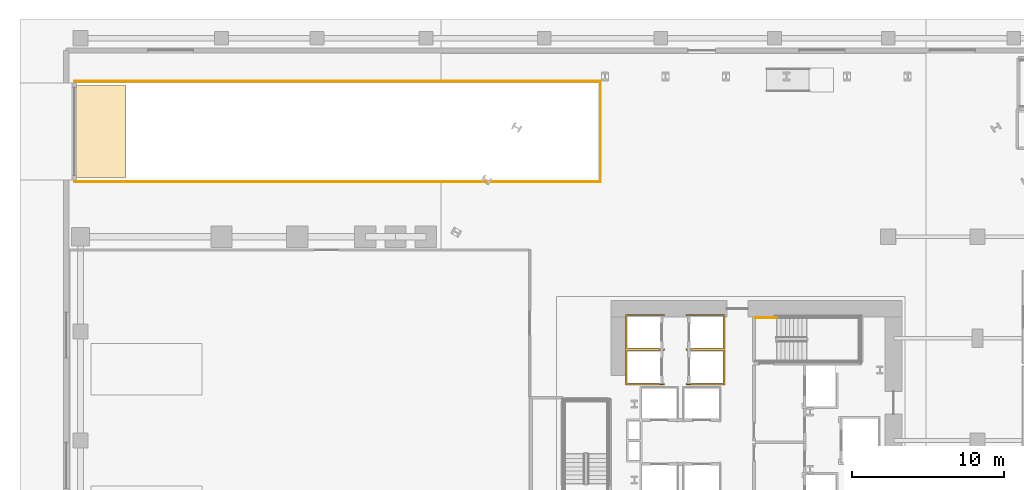
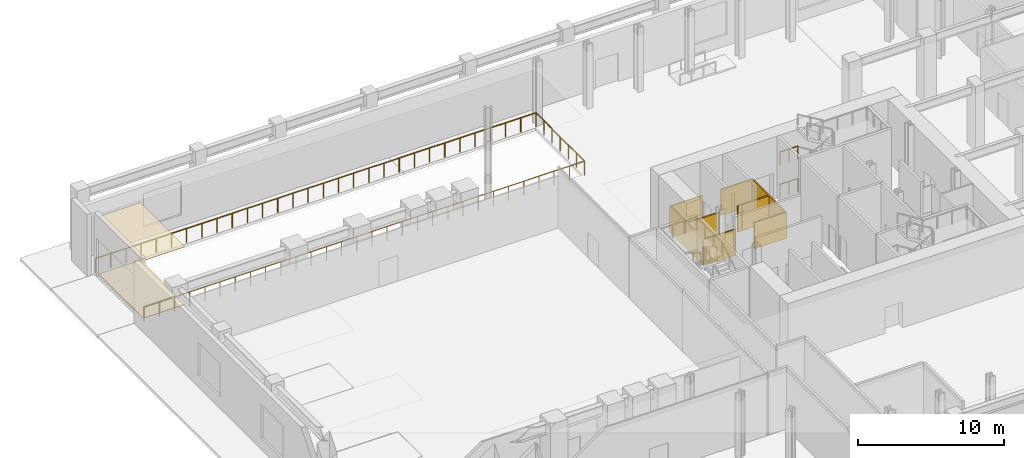
# One storey, part 14 of 18: 5 railings, 4 coverings.
"""IFC4 building model written with IfcOpenShell, lengths in metres."""

from ifc_helpers import new_model, si_unit, direction, frame, origin, origin_2d, place, context, subcontext, project, spatial, polyline, circle, outline, extrude, material, layer, layer_set, type_object, element, save


model = new_model("IFC4")

# Units and contexts
model_context = context("Model", 3, precision=1e-05, world=origin(), true_north=direction((0.0, 1.0)))
body_context = subcontext(model_context, "Body", "Model", "MODEL_VIEW")
ifc_project = project(units=[si_unit("LENGTHUNIT", "METRE"), si_unit("AREAUNIT", "SQUARE_METRE"), si_unit("VOLUMEUNIT", "CUBIC_METRE"), si_unit("PLANEANGLEUNIT", "RADIAN"), si_unit("MASSUNIT", "GRAM", prefix="KILO")], contexts=[model_context])

# Site, building, storey
site_placement = place(None, origin())
site = spatial("IfcSite", under=ifc_project, at=site_placement, CompositionType="ELEMENT")
building_placement = place(site_placement, origin())
building = spatial("IfcBuilding", under=site, at=building_placement, Name="Valkerne Bourse Tower", CompositionType="ELEMENT")
storey_placement = place(building_placement, origin())
storey = spatial("IfcBuildingStorey", under=building, at=storey_placement, Name="L00", CompositionType="ELEMENT", Elevation=0.0)

# Coverings
ifc_material_1 = material(Name="Mineral Fiber Acoustic Ceiling Tile", Category="acoustic")
ifc_layer_1 = layer(ifc_material_1, 0.02490234375)
ifc_layer_set_1 = layer_set([ifc_layer_1], Name="Mineral Fiber Acoustic Ceiling Tile")
covering_type_1 = type_object("IfcCoveringType", Name="COV-CEIL-ACT", PredefinedType="CEILING", material=ifc_layer_set_1)
covering_1_placement = place(storey_placement, frame((0.0, 0.0, 4.81005859375)))
element("IfcCovering", 1, at=covering_1_placement, inside=storey, type_object=covering_type_1, Name="L00 Suspended Ceiling 01", PredefinedType="CEILING", context=body_context, shape_type="SweptSolid", body=[
    extrude(outline(polyline([(1.884033203125, 50.446044921875), (5.196044921875, 50.446044921875), (5.196044921875, 44.35400390625), (1.884033203125, 44.35400390625), (1.884033203125, 50.446044921875)])), origin(), (0.0, 0.0, 1.0), 0.02490234375),
])
ifc_material_2 = material(Name="Galvanised Painted Steel", Category="steel")
ifc_layer_2 = layer(ifc_material_2, 0.044921875)
ifc_layer_set_2 = layer_set([ifc_layer_2], Name="Galvanised Painted Steel")
covering_type_2 = type_object("IfcCoveringType", Name="COV-FLR-RAF", PredefinedType="FLOORING", material=ifc_layer_set_2)
covering_2_placement = place(storey_placement, origin())
element("IfcCovering", 2, at=covering_2_placement, inside=storey, type_object=covering_type_2, Name="L00 Floor Finish 01", PredefinedType="FLOORING", context=body_context, shape_type="SweptSolid", body=[
    extrude(outline(polyline([(1.884033203125, 50.446044921875), (5.196044921875, 50.446044921875), (5.196044921875, 44.35400390625), (1.884033203125, 44.35400390625), (1.884033203125, 50.446044921875)])), origin(), (0.0, 0.0, 1.0), 0.044921875),
])
ifc_material_3 = material(Name="Gypsum Shaftwall Liner Board", Category="gypsum")
ifc_layer_3 = layer(ifc_material_3, 0.080078125)
ifc_layer_set_3 = layer_set([ifc_layer_3], Name="Gypsum Shaftwall Liner Board")
covering_type_3 = type_object("IfcCoveringType", Name="COV-SHF-CLAD", PredefinedType="CLADDING", material=ifc_layer_set_3)
covering_3_placement = place(storey_placement, origin())
element("IfcCovering", 3, at=covering_3_placement, inside=storey, type_object=covering_type_3, Name="L00 Hoistway & Riser Shaftwall Liner 05", PredefinedType="CLADDING", context=body_context, shape_type="SweptSolid", body=[
    extrude(outline(polyline([(38.169921875, 35.330078125), (40.72998046875, 35.330078125), (40.72998046875, 35.232177734375), (40.72216796875, 35.235595703125), (40.6806640625, 35.25048828125), (40.6376953125, 35.261474609375), (40.593994140625, 35.267822265625), (40.550048828125, 35.27001953125), (40.505859375, 35.267822265625), (40.462158203125, 35.261474609375), (40.41943359375, 35.25048828125), (40.3896484375, 35.239990234375), (38.260009765625, 35.239990234375), (38.260009765625, 33.06005859375), (40.3896484375, 33.06005859375), (40.41943359375, 33.04931640625), (40.462158203125, 33.03857421875), (40.505859375, 33.0322265625), (40.550048828125, 33.030029296875), (40.593994140625, 33.0322265625), (40.6376953125, 33.03857421875), (40.6806640625, 33.04931640625), (40.72216796875, 33.064208984375), (40.72998046875, 33.06787109375), (40.72998046875, 33.030029296875), (40.72998046875, 32.969970703125), (40.72998046875, 32.93212890625), (40.72216796875, 32.935791015625), (40.6806640625, 32.95068359375), (40.6376953125, 32.96142578125), (40.593994140625, 32.9677734375), (40.550048828125, 32.969970703125), (40.505859375, 32.9677734375), (40.462158203125, 32.96142578125), (40.41943359375, 32.95068359375), (40.3896484375, 32.93994140625), (38.260009765625, 32.93994140625), (38.260009765625, 30.760009765625), (40.3896484375, 30.760009765625), (40.41943359375, 30.74951171875), (40.462158203125, 30.738525390625), (40.505859375, 30.732177734375), (40.550048828125, 30.72998046875), (40.593994140625, 30.732177734375), (40.6376953125, 30.738525390625), (40.6806640625, 30.74951171875), (40.72216796875, 30.764404296875), (40.72998046875, 30.767822265625), (40.72998046875, 30.669921875), (38.169921875, 30.669921875), (38.169921875, 32.969970703125), (38.169921875, 33.030029296875), (38.169921875, 35.330078125)])), origin(), (0.0, 0.0, 1.0), 2.179931640625),
])
covering_4_placement = place(storey_placement, origin())
element("IfcCovering", 4, at=covering_4_placement, inside=storey, type_object=covering_type_3, Name="L00 Hoistway & Riser Shaftwall Liner 11", PredefinedType="CLADDING", context=body_context, shape_type="SweptSolid", body=[
    extrude(outline(polyline([(44.72998046875, 35.330078125), (44.72998046875, 33.030029296875), (44.72998046875, 32.969970703125), (44.72998046875, 30.669921875), (42.169921875, 30.669921875), (42.169921875, 30.767822265625), (42.177734375, 30.764404296875), (42.219482421875, 30.74951171875), (42.26220703125, 30.738525390625), (42.305908203125, 30.732177734375), (42.35009765625, 30.72998046875), (42.39404296875, 30.732177734375), (42.437744140625, 30.738525390625), (42.480712890625, 30.74951171875), (42.51025390625, 30.760009765625), (44.639892578125, 30.760009765625), (44.639892578125, 32.93994140625), (42.51025390625, 32.93994140625), (42.480712890625, 32.95068359375), (42.437744140625, 32.96142578125), (42.39404296875, 32.9677734375), (42.35009765625, 32.969970703125), (42.305908203125, 32.9677734375), (42.26220703125, 32.96142578125), (42.219482421875, 32.95068359375), (42.177734375, 32.935791015625), (42.169921875, 32.93212890625), (42.169921875, 32.969970703125), (42.169921875, 33.030029296875), (42.169921875, 33.06787109375), (42.177734375, 33.064208984375), (42.219482421875, 33.04931640625), (42.26220703125, 33.03857421875), (42.305908203125, 33.0322265625), (42.35009765625, 33.030029296875), (42.39404296875, 33.0322265625), (42.437744140625, 33.03857421875), (42.480712890625, 33.04931640625), (42.51025390625, 33.06005859375), (44.639892578125, 33.06005859375), (44.639892578125, 35.239990234375), (42.51025390625, 35.239990234375), (42.480712890625, 35.25048828125), (42.437744140625, 35.261474609375), (42.39404296875, 35.267822265625), (42.35009765625, 35.27001953125), (42.305908203125, 35.267822265625), (42.26220703125, 35.261474609375), (42.219482421875, 35.25048828125), (42.177734375, 35.235595703125), (42.169921875, 35.232177734375), (42.169921875, 35.330078125), (44.72998046875, 35.330078125)])), origin(), (0.0, 0.0, 1.0), 2.179931640625),
])

# Railings
ifc_material_4 = material(Name="Stainless Steel AISI 316", Category="steel")
railing_type_1 = type_object("IfcRailingType", Name="RLG-PORTAL-1200", PredefinedType="GUARDRAIL", material=ifc_material_4)
railing_1_placement = place(storey_placement, frame((1.800048828125, 44.080078125, 0.0)))
element("IfcRailing", 5, at=railing_1_placement, inside=storey, type_object=railing_type_1, Name="L00 Vehicle Ramp Well Guard Railing 1", PredefinedType="GUARDRAIL", context=body_context, shape_type="SweptSolid", body=[
    extrude(circle(Radius=0.02392578125, at=origin_2d()), frame((0.0, 0.0, 1.17578125), z_axis=(1.0, 0.0, 0.0), x_axis=(0.0, 1.0, 0.0)), (0.0, 0.0, 1.0), 34.719970703125),
    extrude(circle(Radius=0.02099609375, at=origin_2d()), origin(), (0.0, 0.0, 1.0), 1.15185546875),
    extrude(circle(Radius=0.02099609375, at=origin_2d()), frame((1.197265625, 0.0, 0.0)), (0.0, 0.0, 1.0), 1.15185546875),
    extrude(circle(Radius=0.02099609375, at=origin_2d()), frame((2.39453125, 0.0, 0.0)), (0.0, 0.0, 1.0), 1.15185546875),
    extrude(circle(Radius=0.02099609375, at=origin_2d()), frame((3.591796875, 0.0, 0.0)), (0.0, 0.0, 1.0), 1.15185546875),
    extrude(circle(Radius=0.02099609375, at=origin_2d()), frame((4.7890625, 0.0, 0.0)), (0.0, 0.0, 1.0), 1.15185546875),
    extrude(circle(Radius=0.02099609375, at=origin_2d()), frame((5.986083984375, 0.0, 0.0)), (0.0, 0.0, 1.0), 1.15185546875),
    extrude(circle(Radius=0.02099609375, at=origin_2d()), frame((7.183349609375, 0.0, 0.0)), (0.0, 0.0, 1.0), 1.15185546875),
    extrude(circle(Radius=0.02099609375, at=origin_2d()), frame((8.380615234375, 0.0, 0.0)), (0.0, 0.0, 1.0), 1.15185546875),
    extrude(circle(Radius=0.02099609375, at=origin_2d()), frame((9.577880859375, 0.0, 0.0)), (0.0, 0.0, 1.0), 1.15185546875),
    extrude(circle(Radius=0.02099609375, at=origin_2d()), frame((10.775146484375, 0.0, 0.0)), (0.0, 0.0, 1.0), 1.15185546875),
    extrude(circle(Radius=0.02099609375, at=origin_2d()), frame((11.972412109375, 0.0, 0.0)), (0.0, 0.0, 1.0), 1.15185546875),
    extrude(circle(Radius=0.02099609375, at=origin_2d()), frame((13.169677734375, 0.0, 0.0)), (0.0, 0.0, 1.0), 1.15185546875),
    extrude(circle(Radius=0.02099609375, at=origin_2d()), frame((14.366943359375, 0.0, 0.0)), (0.0, 0.0, 1.0), 1.15185546875),
    extrude(circle(Radius=0.02099609375, at=origin_2d()), frame((15.564208984375, 0.0, 0.0)), (0.0, 0.0, 1.0), 1.15185546875),
    extrude(circle(Radius=0.02099609375, at=origin_2d()), frame((16.761474609375, 0.0, 0.0)), (0.0, 0.0, 1.0), 1.15185546875),
    extrude(circle(Radius=0.02099609375, at=origin_2d()), frame((17.95849609375, 0.0, 0.0)), (0.0, 0.0, 1.0), 1.15185546875),
    extrude(circle(Radius=0.02099609375, at=origin_2d()), frame((19.15576171875, 0.0, 0.0)), (0.0, 0.0, 1.0), 1.15185546875),
    extrude(circle(Radius=0.02099609375, at=origin_2d()), frame((20.35302734375, 0.0, 0.0)), (0.0, 0.0, 1.0), 1.15185546875),
    extrude(circle(Radius=0.02099609375, at=origin_2d()), frame((21.55029296875, 0.0, 0.0)), (0.0, 0.0, 1.0), 1.15185546875),
    extrude(circle(Radius=0.02099609375, at=origin_2d()), frame((22.74755859375, 0.0, 0.0)), (0.0, 0.0, 1.0), 1.15185546875),
    extrude(circle(Radius=0.02099609375, at=origin_2d()), frame((23.94482421875, 0.0, 0.0)), (0.0, 0.0, 1.0), 1.15185546875),
    extrude(circle(Radius=0.02099609375, at=origin_2d()), frame((25.14208984375, 0.0, 0.0)), (0.0, 0.0, 1.0), 1.15185546875),
    extrude(circle(Radius=0.02099609375, at=origin_2d()), frame((26.33935546875, 0.0, 0.0)), (0.0, 0.0, 1.0), 1.15185546875),
    extrude(circle(Radius=0.02099609375, at=origin_2d()), frame((27.53662109375, 0.0, 0.0)), (0.0, 0.0, 1.0), 1.15185546875),
    extrude(circle(Radius=0.02099609375, at=origin_2d()), frame((28.73388671875, 0.0, 0.0)), (0.0, 0.0, 1.0), 1.15185546875),
    extrude(circle(Radius=0.02099609375, at=origin_2d()), frame((29.930908203125, 0.0, 0.0)), (0.0, 0.0, 1.0), 1.15185546875),
    extrude(circle(Radius=0.02099609375, at=origin_2d()), frame((31.128173828125, 0.0, 0.0)), (0.0, 0.0, 1.0), 1.15185546875),
    extrude(circle(Radius=0.02099609375, at=origin_2d()), frame((32.325439453125, 0.0, 0.0)), (0.0, 0.0, 1.0), 1.15185546875),
    extrude(circle(Radius=0.02099609375, at=origin_2d()), frame((33.522705078125, 0.0, 0.0)), (0.0, 0.0, 1.0), 1.15185546875),
    extrude(circle(Radius=0.02099609375, at=origin_2d()), frame((34.719970703125, 0.0, 0.0)), (0.0, 0.0, 1.0), 1.15185546875),
])
railing_2_placement = place(storey_placement, frame((36.52001953125, 44.080078125, 0.0)))
element("IfcRailing", 6, at=railing_2_placement, inside=storey, type_object=railing_type_1, Name="L00 Vehicle Ramp Well Guard Railing 2", PredefinedType="GUARDRAIL", context=body_context, shape_type="SweptSolid", body=[
    extrude(circle(Radius=0.02392578125, at=origin_2d()), frame((0.0, 0.0, 1.17578125), z_axis=(0.0, 1.0, 0.0), x_axis=(-1.0, 0.0, 0.0)), (0.0, 0.0, 1.0), 6.639892578125),
    extrude(circle(Radius=0.02099609375, at=origin_2d()), origin(), (0.0, 0.0, 1.0), 1.15185546875),
    extrude(circle(Radius=0.02099609375, at=origin_2d()), frame((0.0, 1.106689453125, 0.0)), (0.0, 0.0, 1.0), 1.15185546875),
    extrude(circle(Radius=0.02099609375, at=origin_2d()), frame((0.0, 2.21337890625, 0.0)), (0.0, 0.0, 1.0), 1.15185546875),
    extrude(circle(Radius=0.02099609375, at=origin_2d()), frame((0.0, 3.31982421875, 0.0)), (0.0, 0.0, 1.0), 1.15185546875),
    extrude(circle(Radius=0.02099609375, at=origin_2d()), frame((0.0, 4.426513671875, 0.0)), (0.0, 0.0, 1.0), 1.15185546875),
    extrude(circle(Radius=0.02099609375, at=origin_2d()), frame((0.0, 5.533203125, 0.0)), (0.0, 0.0, 1.0), 1.15185546875),
    extrude(circle(Radius=0.02099609375, at=origin_2d()), frame((0.0, 6.639892578125, 0.0)), (0.0, 0.0, 1.0), 1.15185546875),
])
railing_3_placement = place(storey_placement, frame((36.52001953125, 50.719970703125, 0.0)))
element("IfcRailing", 7, at=railing_3_placement, inside=storey, type_object=railing_type_1, Name="L00 Vehicle Ramp Well Guard Railing 3", PredefinedType="GUARDRAIL", context=body_context, shape_type="SweptSolid", body=[
    extrude(circle(Radius=0.02392578125, at=origin_2d()), frame((0.0, 0.0, 1.17578125), z_axis=(-1.0, 0.0, 0.0), x_axis=(0.0, -1.0, 0.0)), (0.0, 0.0, 1.0), 34.719970703125),
    extrude(circle(Radius=0.02099609375, at=origin_2d()), origin(), (0.0, 0.0, 1.0), 1.15185546875),
    extrude(circle(Radius=0.02099609375, at=origin_2d()), frame((-1.197265625, 0.0, 0.0)), (0.0, 0.0, 1.0), 1.15185546875),
    extrude(circle(Radius=0.02099609375, at=origin_2d()), frame((-2.39453125, 0.0, 0.0)), (0.0, 0.0, 1.0), 1.15185546875),
    extrude(circle(Radius=0.02099609375, at=origin_2d()), frame((-3.591796875, 0.0, 0.0)), (0.0, 0.0, 1.0), 1.15185546875),
    extrude(circle(Radius=0.02099609375, at=origin_2d()), frame((-4.7890625, 0.0, 0.0)), (0.0, 0.0, 1.0), 1.15185546875),
    extrude(circle(Radius=0.02099609375, at=origin_2d()), frame((-5.986083984375, 0.0, 0.0)), (0.0, 0.0, 1.0), 1.15185546875),
    extrude(circle(Radius=0.02099609375, at=origin_2d()), frame((-7.183349609375, 0.0, 0.0)), (0.0, 0.0, 1.0), 1.15185546875),
    extrude(circle(Radius=0.02099609375, at=origin_2d()), frame((-8.380615234375, 0.0, 0.0)), (0.0, 0.0, 1.0), 1.15185546875),
    extrude(circle(Radius=0.02099609375, at=origin_2d()), frame((-9.577880859375, 0.0, 0.0)), (0.0, 0.0, 1.0), 1.15185546875),
    extrude(circle(Radius=0.02099609375, at=origin_2d()), frame((-10.775146484375, 0.0, 0.0)), (0.0, 0.0, 1.0), 1.15185546875),
    extrude(circle(Radius=0.02099609375, at=origin_2d()), frame((-11.972412109375, 0.0, 0.0)), (0.0, 0.0, 1.0), 1.15185546875),
    extrude(circle(Radius=0.02099609375, at=origin_2d()), frame((-13.169677734375, 0.0, 0.0)), (0.0, 0.0, 1.0), 1.15185546875),
    extrude(circle(Radius=0.02099609375, at=origin_2d()), frame((-14.366943359375, 0.0, 0.0)), (0.0, 0.0, 1.0), 1.15185546875),
    extrude(circle(Radius=0.02099609375, at=origin_2d()), frame((-15.564208984375, 0.0, 0.0)), (0.0, 0.0, 1.0), 1.15185546875),
    extrude(circle(Radius=0.02099609375, at=origin_2d()), frame((-16.761474609375, 0.0, 0.0)), (0.0, 0.0, 1.0), 1.15185546875),
    extrude(circle(Radius=0.02099609375, at=origin_2d()), frame((-17.95849609375, 0.0, 0.0)), (0.0, 0.0, 1.0), 1.15185546875),
    extrude(circle(Radius=0.02099609375, at=origin_2d()), frame((-19.15576171875, 0.0, 0.0)), (0.0, 0.0, 1.0), 1.15185546875),
    extrude(circle(Radius=0.02099609375, at=origin_2d()), frame((-20.35302734375, 0.0, 0.0)), (0.0, 0.0, 1.0), 1.15185546875),
    extrude(circle(Radius=0.02099609375, at=origin_2d()), frame((-21.55029296875, 0.0, 0.0)), (0.0, 0.0, 1.0), 1.15185546875),
    extrude(circle(Radius=0.02099609375, at=origin_2d()), frame((-22.74755859375, 0.0, 0.0)), (0.0, 0.0, 1.0), 1.15185546875),
    extrude(circle(Radius=0.02099609375, at=origin_2d()), frame((-23.94482421875, 0.0, 0.0)), (0.0, 0.0, 1.0), 1.15185546875),
    extrude(circle(Radius=0.02099609375, at=origin_2d()), frame((-25.14208984375, 0.0, 0.0)), (0.0, 0.0, 1.0), 1.15185546875),
    extrude(circle(Radius=0.02099609375, at=origin_2d()), frame((-26.33935546875, 0.0, 0.0)), (0.0, 0.0, 1.0), 1.15185546875),
    extrude(circle(Radius=0.02099609375, at=origin_2d()), frame((-27.53662109375, 0.0, 0.0)), (0.0, 0.0, 1.0), 1.15185546875),
    extrude(circle(Radius=0.02099609375, at=origin_2d()), frame((-28.73388671875, 0.0, 0.0)), (0.0, 0.0, 1.0), 1.15185546875),
    extrude(circle(Radius=0.02099609375, at=origin_2d()), frame((-29.930908203125, 0.0, 0.0)), (0.0, 0.0, 1.0), 1.15185546875),
    extrude(circle(Radius=0.02099609375, at=origin_2d()), frame((-31.128173828125, 0.0, 0.0)), (0.0, 0.0, 1.0), 1.15185546875),
    extrude(circle(Radius=0.02099609375, at=origin_2d()), frame((-32.325439453125, 0.0, 0.0)), (0.0, 0.0, 1.0), 1.15185546875),
    extrude(circle(Radius=0.02099609375, at=origin_2d()), frame((-33.522705078125, 0.0, 0.0)), (0.0, 0.0, 1.0), 1.15185546875),
    extrude(circle(Radius=0.02099609375, at=origin_2d()), frame((-34.719970703125, 0.0, 0.0)), (0.0, 0.0, 1.0), 1.15185546875),
])
railing_type_2 = type_object("IfcRailingType", Name="RLG-ST-GUARD-1120", PredefinedType="GUARDRAIL", material=ifc_material_2)
for number, where, name in (
    (8, (46.75, 35.10009765625, 2.699951171875), "L00 ST-2 stair guard 9"),
    (9, (46.75, 35.10009765625, 0.0), "L00 ST-2 stair guard 18"),
):
    element("IfcRailing", number, at=place(storey_placement, frame(where)), inside=storey, type_object=railing_type_2, Name=name, PredefinedType="GUARDRAIL", context=body_context, shape_type="SweptSolid", body=[
        extrude(circle(Radius=0.02392578125, at=origin_2d()), frame((0.0, 0.0, 1.09619140625), z_axis=(1.0, 0.0, 0.0), x_axis=(0.0, 1.0, 0.0)), (0.0, 0.0, 1.0), 1.39990234375),
        extrude(circle(Radius=0.02099609375, at=origin_2d()), origin(), (0.0, 0.0, 1.0), 1.072021484375),
        extrude(circle(Radius=0.02099609375, at=origin_2d()), frame((0.699951171875, 0.0, 0.0)), (0.0, 0.0, 1.0), 1.072021484375),
        extrude(circle(Radius=0.02099609375, at=origin_2d()), frame((1.39990234375, 0.0, 0.0)), (0.0, 0.0, 1.0), 1.072021484375),
    ])

save(model, "model.ifc")
